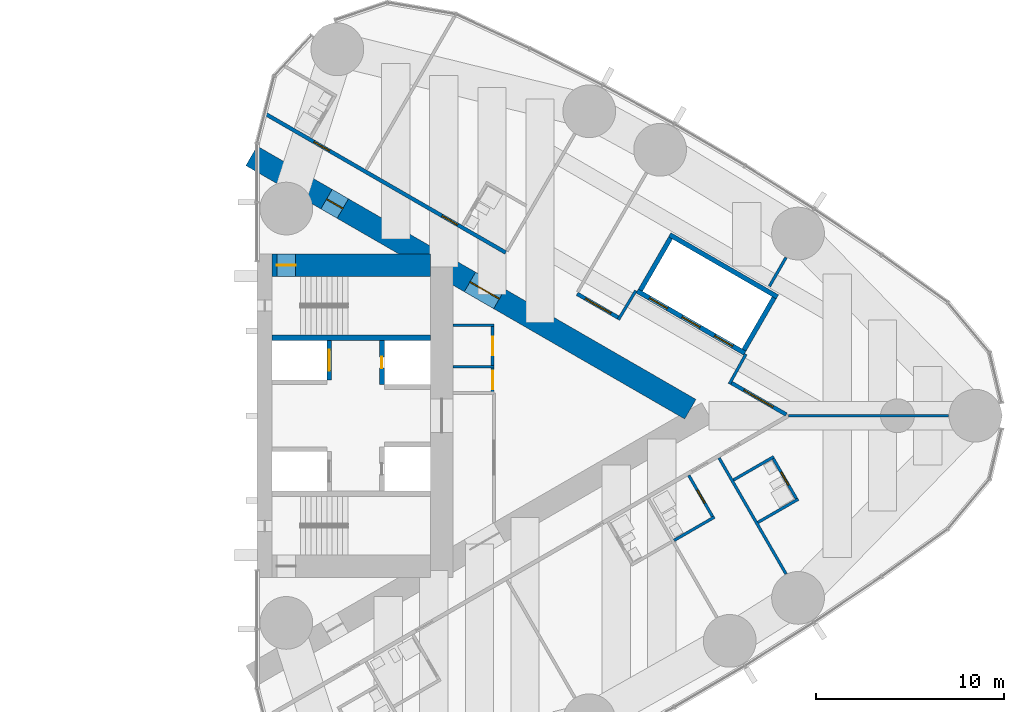
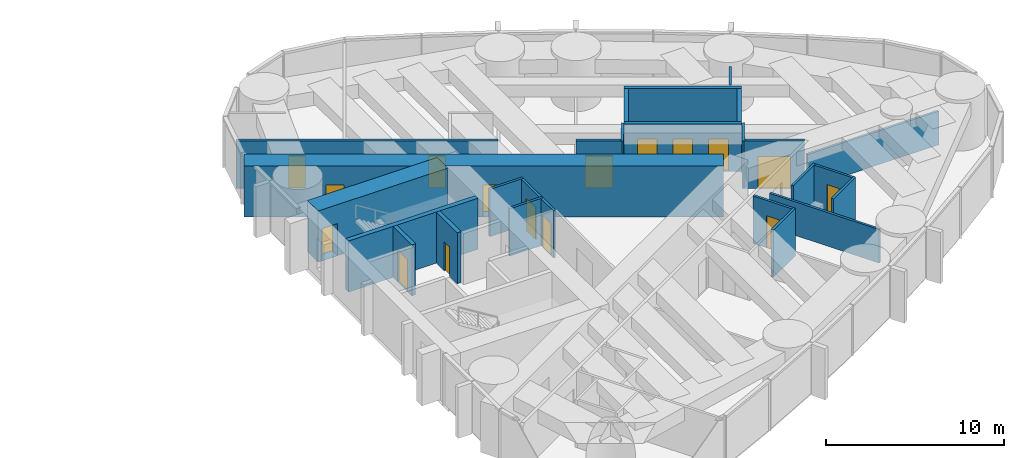
# One storey, part 15 of 19: 26 walls, 16 doors, 16 openings.
"""IFC4 building model written with IfcOpenShell, lengths in metres."""

from ifc_helpers import new_model, si_unit, direction, frame, frame_2d, origin, place, context, subcontext, project, spatial, rectangle, extrude, material, layer, layer_set, type_object, element, fill, save


model = new_model("IFC4")

# Units and contexts
model_context = context("Model", 3, precision=1e-05, world=origin(), true_north=direction((0.0, 1.0)))
body_context = subcontext(model_context, "Body", "Model", "MODEL_VIEW")
ifc_project = project(units=[si_unit("LENGTHUNIT", "METRE"), si_unit("AREAUNIT", "SQUARE_METRE"), si_unit("VOLUMEUNIT", "CUBIC_METRE"), si_unit("PLANEANGLEUNIT", "RADIAN"), si_unit("MASSUNIT", "GRAM", prefix="KILO")], contexts=[model_context])

# Site, building, storey
site_placement = place(None, origin())
site = spatial("IfcSite", under=ifc_project, at=site_placement, CompositionType="ELEMENT")
building_placement = place(site_placement, origin())
building = spatial("IfcBuilding", under=site, at=building_placement, Name="Lancet Gate Hotel", CompositionType="ELEMENT")
storey_placement = place(building_placement, frame((0.0, 0.0, 173.800048828125)))
storey = spatial("IfcBuildingStorey", under=building, at=storey_placement, Name="L46", CompositionType="ELEMENT", Elevation=173.800048828125)

# Wall
ifc_material_1 = material(Name="Moisture resistant board partition")
ifc_layer_1 = layer(ifc_material_1, 0.14990234375)
ifc_layer_set_1 = layer_set([ifc_layer_1], Name="Bathroom wall 150")
wall_type_1 = type_object("IfcWallType", Name="Bathroom wall 150", PredefinedType="PARTITIONING", material=ifc_layer_set_1)
wall_1_placement = place(storey_placement, frame((49.6396484375, -6.617919921875, 0.0), z_axis=(0.0, 0.0, 1.0), x_axis=(0.866006523861, 0.500032699561, 0.0)))
element("IfcWall", 1, at=wall_1_placement, inside=storey, type_object=wall_type_1, Name="T2 bathroom wall 150 L46", PredefinedType="PARTITIONING", context=body_context, shape_type="SweptSolid", body=[
    extrude(rectangle(XDim=2.474853515625, YDim=0.14990234375, at=frame_2d((1.2373046875, 0.0))), origin(), (0.0, 0.0, 1.0), 3.25),
])

# Wall, opening, door
wall_2_placement = place(storey_placement, frame((50.418212890625, -3.166259765625, 0.0), z_axis=(0.0, 0.0, 1.0), x_axis=(0.499936506574, -0.866062058628, 0.0)))
wall_2 = element("IfcWall", 2, at=wall_2_placement, inside=storey, type_object=wall_type_1, Name="T2 bathroom wall 150 L46", PredefinedType="PARTITIONING", context=body_context, shape_type="SweptSolid", body=[
    extrude(rectangle(XDim=2.599853515625, YDim=0.14990234375, at=frame_2d((1.2998046875, 0.0))), origin(), (0.0, 0.0, 1.0), 3.25),
])
opening_1_placement = place(wall_2_placement, frame((0.89990234375, 0.0, 0.0)))
opening_1 = element("IfcOpeningElement", 3, at=opening_1_placement, cuts=wall_2, Name="Opening 4656-B", PredefinedType="OPENING", context=body_context, shape_type="SweptSolid", body=[
    extrude(rectangle(XDim=0.800048828125, YDim=2.199951171875, at=frame_2d((0.39990234375, 1.10009765625))), frame((0.0, 0.0849609375, 0.0), z_axis=(0.0, -1.0, 0.0), x_axis=(1.0, 0.0, 0.0)), (0.0, 0.0, 1.0), 0.169921875),
])
ifc_material_2 = material(Name="Timber door set", Category="wood")
door_type_1 = type_object("IfcDoorType", Name="Bathroom door 800", OperationType="SINGLE_SWING_RIGHT", PredefinedType="DOOR", material=ifc_material_2)
door_1_placement = place(opening_1_placement, origin())
door_1 = element("IfcDoor", 4, at=door_1_placement, inside=storey, type_object=door_type_1, Name="4656-B", OperationType="SINGLE_SWING_RIGHT", OverallHeight=2.199951171875, OverallWidth=0.800048828125, PredefinedType="DOOR", context=body_context, shape_type="SweptSolid", body=[
    extrude(rectangle(XDim=0.800048828125, YDim=2.199951171875, at=frame_2d((0.39990234375, 1.10009765625))), frame((0.0, 0.02490234375, 0.0), z_axis=(0.0, -1.0, 0.0), x_axis=(1.0, 0.0, 0.0)), (0.0, 0.0, 1.0), 0.050048828125),
])
fill(opening_1, door_1)

# Wall
wall_3_placement = place(storey_placement, frame((54.09033203125, -5.6650390625, 0.0), z_axis=(0.0, 0.0, 1.0), x_axis=(0.866006523861, 0.500032699561, 0.0)))
element("IfcWall", 5, at=wall_3_placement, inside=storey, type_object=wall_type_1, Name="T2 bathroom wall 150 L46", PredefinedType="PARTITIONING", context=body_context, shape_type="SweptSolid", body=[
    extrude(rectangle(XDim=2.474853515625, YDim=0.14990234375, at=frame_2d((1.2373046875, 0.0))), origin(), (0.0, 0.0, 1.0), 3.25),
])

# Wall, opening, door
wall_4_placement = place(storey_placement, frame((54.86865234375, -2.21337890625, 0.0), z_axis=(0.0, 0.0, 1.0), x_axis=(0.500047596559, -0.865997922154, 0.0)))
wall_4 = element("IfcWall", 6, at=wall_4_placement, inside=storey, type_object=wall_type_1, Name="T2 bathroom wall 150 L46", PredefinedType="PARTITIONING", context=body_context, shape_type="SweptSolid", body=[
    extrude(rectangle(XDim=2.599853515625, YDim=0.14990234375, at=frame_2d((1.2998046875, 0.0))), origin(), (0.0, 0.0, 1.0), 3.25),
])
opening_2_placement = place(wall_4_placement, frame((0.89990234375, 0.0, 0.0)))
opening_2 = element("IfcOpeningElement", 7, at=opening_2_placement, cuts=wall_4, Name="Opening 4657-B", PredefinedType="OPENING", context=body_context, shape_type="SweptSolid", body=[
    extrude(rectangle(XDim=0.800048828125, YDim=2.199951171875, at=frame_2d((0.39990234375, 1.10009765625))), frame((0.0, 0.0849609375, 0.0), z_axis=(0.0, -1.0, 0.0), x_axis=(1.0, 0.0, 0.0)), (0.0, 0.0, 1.0), 0.169921875),
])
door_2_placement = place(opening_2_placement, origin())
door_2 = element("IfcDoor", 8, at=door_2_placement, inside=storey, type_object=door_type_1, Name="4657-B", OperationType="SINGLE_SWING_RIGHT", OverallHeight=2.199951171875, OverallWidth=0.800048828125, PredefinedType="DOOR", context=body_context, shape_type="SweptSolid", body=[
    extrude(rectangle(XDim=0.800048828125, YDim=2.199951171875, at=frame_2d((0.39990234375, 1.10009765625))), frame((0.0, 0.02490234375, 0.0), z_axis=(0.0, -1.0, 0.0), x_axis=(1.0, 0.0, 0.0)), (0.0, 0.0, 1.0), 0.050048828125),
])
fill(opening_2, door_2)

# Wall
wall_5_placement = place(storey_placement, frame((52.790283203125, -3.413330078125, 0.0), z_axis=(0.0, 0.0, 1.0), x_axis=(0.866006523861, 0.500032699561, 0.0)))
element("IfcWall", 9, at=wall_5_placement, inside=storey, type_object=wall_type_1, Name="T2 bathroom wall 150 L46", PredefinedType="PARTITIONING", context=body_context, shape_type="SweptSolid", body=[
    extrude(rectangle(XDim=2.474853515625, YDim=0.14990234375, at=frame_2d((1.2373046875, 0.0))), origin(), (0.0, 0.0, 1.0), 3.25),
])

# Wall, openings, doors
ifc_material_3 = material(Name="Concrete C70/85", Category="concrete")
ifc_layer_2 = layer(ifc_material_3, 1.199951171875)
ifc_layer_set_2 = layer_set([ifc_layer_2], Name="Buttress wall 1200")
wall_type_2 = type_object("IfcWallType", Name="Buttress wall 1200", PredefinedType="SHEAR", material=ifc_layer_set_2)
wall_6_placement = place(storey_placement, frame((27.199951171875, 13.800048828125, 0.0), z_axis=(0.0, 0.0, 1.0), x_axis=(0.866024515034, -0.500001539357, 0.0)))
wall_6 = element("IfcWall", 10, at=wall_6_placement, inside=storey, type_object=wall_type_2, Name="T2 buttress wall N L46", PredefinedType="SHEAR", context=body_context, shape_type="SweptSolid", body=[
    extrude(rectangle(XDim=26.9072265625, YDim=1.199951171875, at=frame_2d((13.45361328125, 0.0))), origin(), (0.0, 0.0, 1.0), 3.5),
])
opening_3_placement = place(wall_6_placement, frame((4.60009765625, 0.0, 0.0)))
opening_3 = element("IfcOpeningElement", 11, at=opening_3_placement, cuts=wall_6, Name="Opening T2-L46-LN", PredefinedType="OPENING", context=body_context, shape_type="SweptSolid", body=[
    extrude(rectangle(XDim=1.0, YDim=2.199951171875, at=frame_2d((0.5, 1.10009765625))), frame((0.0, 0.60986328125, 0.0), z_axis=(0.0, -1.0, 0.0), x_axis=(1.0, 0.0, 0.0)), (0.0, 0.0, 1.0), 1.219970703125),
])
opening_4_placement = place(wall_6_placement, frame((13.39453125, 0.0, 0.0)))
opening_4 = element("IfcOpeningElement", 12, at=opening_4_placement, cuts=wall_6, Name="Opening T2-L46-LHN", PredefinedType="OPENING", context=body_context, shape_type="SweptSolid", body=[
    extrude(rectangle(XDim=1.800048828125, YDim=2.199951171875, at=frame_2d((0.89990234375, 1.10009765625))), frame((0.0, 0.60986328125, 0.0), z_axis=(0.0, -1.0, 0.0), x_axis=(1.0, 0.0, 0.0)), (0.0, 0.0, 1.0), 1.219970703125),
])
ifc_material_4 = material(Name="Timber door set", Category="wood")
door_type_2 = type_object("IfcDoorType", Name="Lobby double door 1800", OperationType="DOUBLE_DOOR_SINGLE_SWING", PredefinedType="DOOR", material=ifc_material_4)
door_3_placement = place(opening_4_placement, origin())
door_3 = element("IfcDoor", 13, at=door_3_placement, inside=storey, type_object=door_type_2, Name="T2-L46-LHN", OperationType="DOUBLE_DOOR_SINGLE_SWING", OverallHeight=2.199951171875, OverallWidth=1.800048828125, PredefinedType="DOOR", context=body_context, shape_type="SweptSolid", body=[
    extrude(rectangle(XDim=1.800048828125, YDim=2.199951171875, at=frame_2d((0.89990234375, 1.10009765625))), frame((0.0, 0.02490234375, 0.0), z_axis=(0.0, -1.0, 0.0), x_axis=(1.0, 0.0, 0.0)), (0.0, 0.0, 1.0), 0.050048828125),
])
fill(opening_4, door_3)
ifc_material_5 = material(Name="Timber door set", Category="wood")
door_type_3 = type_object("IfcDoorType", Name="Stair lobby door 1000", OperationType="SINGLE_SWING_LEFT", PredefinedType="DOOR", material=ifc_material_5)
door_4_placement = place(opening_3_placement, origin())
door_4 = element("IfcDoor", 14, at=door_4_placement, inside=storey, type_object=door_type_3, Name="T2-L46-LN", OperationType="SINGLE_SWING_LEFT", OverallHeight=2.199951171875, OverallWidth=1.0, PredefinedType="DOOR", context=body_context, shape_type="SweptSolid", body=[
    extrude(rectangle(XDim=1.0, YDim=2.199951171875, at=frame_2d((0.5, 1.10009765625))), frame((0.0, 0.02490234375, 0.0), z_axis=(0.0, -1.0, 0.0), x_axis=(1.0, 0.0, 0.0)), (0.0, 0.0, 1.0), 0.050048828125),
])
fill(opening_3, door_4)

# Wall, opening, door
ifc_material_6 = material(Name="Concrete C70/85", Category="concrete")
ifc_layer_3 = layer(ifc_material_6, 1.199951171875)
ifc_layer_set_3 = layer_set([ifc_layer_3], Name="Core wall 1200")
wall_type_3 = type_object("IfcWallType", Name="Core wall 1200", PredefinedType="SHEAR", material=ifc_layer_set_3)
wall_7_placement = place(storey_placement, frame((28.300048828125, 8.0, 0.0), z_axis=(0.0, 0.0, 1.0), x_axis=(1.0, 0.0, 0.0)))
wall_7 = element("IfcWall", 15, at=wall_7_placement, inside=storey, type_object=wall_type_3, Name="T2 core wall side-N L46", PredefinedType="SHEAR", context=body_context, shape_type="SweptSolid", body=[
    extrude(rectangle(XDim=8.39990234375, YDim=1.199951171875, at=frame_2d((4.199951171875, 0.0))), origin(), (0.0, 0.0, 1.0), 3.5),
])
opening_5_placement = place(wall_7_placement, frame((0.25, 0.0, 0.0)))
opening_5 = element("IfcOpeningElement", 16, at=opening_5_placement, cuts=wall_7, Name="Opening T2-L46-ST2", PredefinedType="OPENING", context=body_context, shape_type="SweptSolid", body=[
    extrude(rectangle(XDim=1.0, YDim=2.199951171875, at=frame_2d((0.5, 1.10009765625))), frame((0.0, 0.60986328125, 0.0), z_axis=(0.0, -1.0, 0.0), x_axis=(1.0, 0.0, 0.0)), (0.0, 0.0, 1.0), 1.219970703125),
])
ifc_material_7 = material(Name="Timber door set", Category="wood")
door_type_4 = type_object("IfcDoorType", Name="Stair door 1000", OperationType="SINGLE_SWING_RIGHT", PredefinedType="DOOR", material=ifc_material_7)
door_5_placement = place(opening_5_placement, origin())
door_5 = element("IfcDoor", 17, at=door_5_placement, inside=storey, type_object=door_type_4, Name="T2-L46-ST2", OperationType="SINGLE_SWING_RIGHT", OverallHeight=2.199951171875, OverallWidth=1.0, PredefinedType="DOOR", context=body_context, shape_type="SweptSolid", body=[
    extrude(rectangle(XDim=1.0, YDim=2.199951171875, at=frame_2d((0.5, 1.10009765625))), frame((0.0, 0.02490234375, 0.0), z_axis=(0.0, -1.0, 0.0), x_axis=(1.0, 0.0, 0.0)), (0.0, 0.0, 1.0), 0.050048828125),
])
fill(opening_5, door_5)

ifc_material_8 = material(Name="Gypsum board partition")
ifc_layer_4 = layer(ifc_material_8, 0.199951171875)
ifc_layer_set_4 = layer_set([ifc_layer_4], Name="Corridor wall 200")
wall_type_4 = type_object("IfcWallType", Name="Corridor wall 200", PredefinedType="PARTITIONING", material=ifc_layer_set_4)
wall_8_placement = place(storey_placement, frame((52.63916015625, 1.7685546875, 0.0), z_axis=(0.0, 0.0, 1.0), x_axis=(0.866027340901, -0.4999966448, 0.0)))
wall_8 = element("IfcWall", 18, at=wall_8_placement, inside=storey, type_object=wall_type_4, Name="T2 corridor wall 200 L46", PredefinedType="PARTITIONING", context=body_context, shape_type="SweptSolid", body=[
    extrude(rectangle(XDim=3.4169921875, YDim=0.199951171875, at=frame_2d((1.70849609375, 0.0))), origin(), (0.0, 0.0, 1.0), 3.25),
])
opening_6_placement = place(wall_8_placement, frame((0.80859375, 0.0, 0.0)))
opening_6 = element("IfcOpeningElement", 19, at=opening_6_placement, cuts=wall_8, Name="Opening T2-L46-LO1", PredefinedType="OPENING", context=body_context, shape_type="SweptSolid", body=[
    extrude(rectangle(XDim=1.800048828125, YDim=2.199951171875, at=frame_2d((0.89990234375, 1.10009765625))), frame((0.0, 0.10986328125, 0.0), z_axis=(0.0, -1.0, 0.0), x_axis=(1.0, 0.0, 0.0)), (0.0, 0.0, 1.0), 0.219970703125),
])
ifc_material_9 = material(Name="Timber door set", Category="wood")
door_type_5 = type_object("IfcDoorType", Name="Double door 1800", OperationType="DOUBLE_DOOR_SINGLE_SWING", PredefinedType="DOOR", material=ifc_material_9)
door_6_placement = place(opening_6_placement, origin())
door_6 = element("IfcDoor", 20, at=door_6_placement, inside=storey, type_object=door_type_5, Name="T2-L46-LO1", OperationType="DOUBLE_DOOR_SINGLE_SWING", OverallHeight=2.199951171875, OverallWidth=1.800048828125, PredefinedType="DOOR", context=body_context, shape_type="SweptSolid", body=[
    extrude(rectangle(XDim=1.800048828125, YDim=2.199951171875, at=frame_2d((0.89990234375, 1.10009765625))), frame((0.0, 0.02490234375, 0.0), z_axis=(0.0, -1.0, 0.0), x_axis=(1.0, 0.0, 0.0)), (0.0, 0.0, 1.0), 0.050048828125),
])
fill(opening_6, door_6)

# Wall, openings, doors
wall_9_placement = place(storey_placement, frame((27.95947265625, 16.017333984375, 0.0), z_axis=(0.0, 0.0, 1.0), x_axis=(0.866024165033, -0.500002145574, 0.0)))
wall_9 = element("IfcWall", 21, at=wall_9_placement, inside=storey, type_object=wall_type_4, Name="T2 corridor wall 200 L46", PredefinedType="PARTITIONING", context=body_context, shape_type="SweptSolid", body=[
    extrude(rectangle(XDim=14.708984375, YDim=0.199951171875, at=frame_2d((7.3544921875, 0.0))), origin(), (0.0, 0.0, 1.0), 3.25),
])
opening_7_placement = place(wall_9_placement, frame((10.808837890625, 0.0, 0.0)))
opening_7 = element("IfcOpeningElement", 22, at=opening_7_placement, cuts=wall_9, Name="Opening 4662-E", PredefinedType="OPENING", context=body_context, shape_type="SweptSolid", body=[
    extrude(rectangle(XDim=0.949951171875, YDim=2.199951171875, at=frame_2d((0.47509765625, 1.10009765625))), frame((0.0, 0.10986328125, 0.0), z_axis=(0.0, -1.0, 0.0), x_axis=(1.0, 0.0, 0.0)), (0.0, 0.0, 1.0), 0.219970703125),
])
opening_8_placement = place(wall_9_placement, frame((2.949951171875, 0.0, 0.0)))
opening_8 = element("IfcOpeningElement", 23, at=opening_8_placement, cuts=wall_9, Name="Opening 4664-E", PredefinedType="OPENING", context=body_context, shape_type="SweptSolid", body=[
    extrude(rectangle(XDim=0.949951171875, YDim=2.199951171875, at=frame_2d((0.47509765625, 1.10009765625))), frame((0.0, 0.10986328125, 0.0), z_axis=(0.0, -1.0, 0.0), x_axis=(1.0, 0.0, 0.0)), (0.0, 0.0, 1.0), 0.219970703125),
])
ifc_material_10 = material(Name="Timber door set", Category="wood")
door_type_6 = type_object("IfcDoorType", Name="Guest room entry door 950", OperationType="SINGLE_SWING_LEFT", PredefinedType="DOOR", material=ifc_material_10)
door_7_placement = place(opening_7_placement, origin())
door_7 = element("IfcDoor", 24, at=door_7_placement, inside=storey, type_object=door_type_6, Name="4662-E", OperationType="SINGLE_SWING_LEFT", OverallHeight=2.199951171875, OverallWidth=0.949951171875, PredefinedType="DOOR", context=body_context, shape_type="SweptSolid", body=[
    extrude(rectangle(XDim=0.949951171875, YDim=2.199951171875, at=frame_2d((0.47509765625, 1.10009765625))), frame((0.0, 0.02490234375, 0.0), z_axis=(0.0, -1.0, 0.0), x_axis=(1.0, 0.0, 0.0)), (0.0, 0.0, 1.0), 0.050048828125),
])
fill(opening_7, door_7)
door_8_placement = place(opening_8_placement, origin())
door_8 = element("IfcDoor", 25, at=door_8_placement, inside=storey, type_object=door_type_6, Name="4664-E", OperationType="SINGLE_SWING_LEFT", OverallHeight=2.199951171875, OverallWidth=0.949951171875, PredefinedType="DOOR", context=body_context, shape_type="SweptSolid", body=[
    extrude(rectangle(XDim=0.949951171875, YDim=2.199951171875, at=frame_2d((0.47509765625, 1.10009765625))), frame((0.0, 0.02490234375, 0.0), z_axis=(0.0, -1.0, 0.0), x_axis=(1.0, 0.0, 0.0)), (0.0, 0.0, 1.0), 0.050048828125),
])
fill(opening_8, door_8)

# Wall, opening, door
wall_10_placement = place(storey_placement, frame((44.4931640625, 6.4716796875, 0.0), z_axis=(0.0, 0.0, 1.0), x_axis=(0.866027140358, -0.499996992154, 0.0)))
wall_10 = element("IfcWall", 26, at=wall_10_placement, inside=storey, type_object=wall_type_4, Name="T2 corridor wall 200 L46", PredefinedType="PARTITIONING", context=body_context, shape_type="SweptSolid", body=[
    extrude(rectangle(XDim=2.56591796875, YDim=0.199951171875, at=frame_2d((1.282958984375, 0.0))), origin(), (0.0, 0.0, 1.0), 3.25),
])
opening_9_placement = place(wall_10_placement, frame((0.5, 0.0, 0.0)))
opening_9 = element("IfcOpeningElement", 27, at=opening_9_placement, cuts=wall_10, Name="Opening T2-L46-LO2", PredefinedType="OPENING", context=body_context, shape_type="SweptSolid", body=[
    extrude(rectangle(XDim=1.56591796875, YDim=2.199951171875, at=frame_2d((0.782958984375, 1.10009765625))), frame((0.0, 0.10986328125, 0.0), z_axis=(0.0, -1.0, 0.0), x_axis=(1.0, 0.0, 0.0)), (0.0, 0.0, 1.0), 0.219970703125),
])
door_9_placement = place(opening_9_placement, origin())
door_9 = element("IfcDoor", 28, at=door_9_placement, inside=storey, type_object=door_type_6, Name="T2-L46-LO2", OperationType="SINGLE_SWING_LEFT", OverallHeight=2.199951171875, OverallWidth=1.56591796875, PredefinedType="DOOR", context=body_context, shape_type="SweptSolid", body=[
    extrude(rectangle(XDim=1.56591796875, YDim=2.199951171875, at=frame_2d((0.782958984375, 1.10009765625))), frame((0.0, 0.02490234375, 0.0), z_axis=(0.0, -1.0, 0.0), x_axis=(1.0, 0.0, 0.0)), (0.0, 0.0, 1.0), 0.050048828125),
])
fill(opening_9, door_9)

# Wall, openings, doors
ifc_material_11 = material(Name="Gypsum board partition")
ifc_layer_5 = layer(ifc_material_11, 0.25)
ifc_layer_set_5 = layer_set([ifc_layer_5], Name="Lift shaft partition 250")
wall_type_5 = type_object("IfcWallType", Name="Lift shaft partition 250", PredefinedType="PARTITIONING", material=ifc_layer_set_5)
wall_11_placement = place(storey_placement, frame((47.681396484375, 6.622314453125, 0.0), z_axis=(0.0, 0.0, 1.0), x_axis=(0.86603344179, -0.499986077507, 0.0)))
wall_11 = element("IfcWall", 29, at=wall_11_placement, inside=storey, type_object=wall_type_5, Name="T2 lift shaft wall HL L46", PredefinedType="PARTITIONING", context=body_context, shape_type="SweptSolid", body=[
    extrude(rectangle(XDim=6.600341796875, YDim=0.25, at=frame_2d((3.30029296875, 0.0))), origin(), (0.0, 0.0, 1.0), 3.25),
])
opening_10_placement = place(wall_11_placement, frame((0.75, 0.0, 0.0)))
opening_10 = element("IfcOpeningElement", 30, at=opening_10_placement, cuts=wall_11, Name="Opening T2-HL1-L46", PredefinedType="OPENING", context=body_context, shape_type="SweptSolid", body=[
    extrude(rectangle(XDim=1.10009765625, YDim=2.199951171875, at=frame_2d((0.550048828125, 1.10009765625))), frame((0.0, 0.135009765625, 0.0), z_axis=(0.0, -1.0, 0.0), x_axis=(1.0, 0.0, 0.0)), (0.0, 0.0, 1.0), 0.27001953125),
])
opening_11_placement = place(wall_11_placement, frame((2.75, 0.0, 0.0)))
opening_11 = element("IfcOpeningElement", 31, at=opening_11_placement, cuts=wall_11, Name="Opening T2-HL2-L46", PredefinedType="OPENING", context=body_context, shape_type="SweptSolid", body=[
    extrude(rectangle(XDim=1.10009765625, YDim=2.199951171875, at=frame_2d((0.550048828125, 1.10009765625))), frame((0.0, 0.135009765625, 0.0), z_axis=(0.0, -1.0, 0.0), x_axis=(1.0, 0.0, 0.0)), (0.0, 0.0, 1.0), 0.27001953125),
])
opening_12_placement = place(wall_11_placement, frame((4.75, 0.0, 0.0)))
opening_12 = element("IfcOpeningElement", 32, at=opening_12_placement, cuts=wall_11, Name="Opening T2-HL3-L46", PredefinedType="OPENING", context=body_context, shape_type="SweptSolid", body=[
    extrude(rectangle(XDim=1.10009765625, YDim=2.199951171875, at=frame_2d((0.550048828125, 1.10009765625))), frame((0.0, 0.135009765625, 0.0), z_axis=(0.0, -1.0, 0.0), x_axis=(1.0, 0.0, 0.0)), (0.0, 0.0, 1.0), 0.27001953125),
])
ifc_material_12 = material(Name="Steel door set", Category="steel")
door_type_7 = type_object("IfcDoorType", Name="Lift landing door 1100", OperationType="DOUBLE_DOOR_SLIDING", PredefinedType="USERDEFINED", material=ifc_material_12)
door_10_placement = place(opening_10_placement, origin())
door_10 = element("IfcDoor", 33, at=door_10_placement, inside=storey, type_object=door_type_7, Name="T2-HL1-L46", ObjectType="LIFT LANDING DOOR", OperationType="DOUBLE_DOOR_SLIDING", OverallHeight=2.199951171875, OverallWidth=1.10009765625, PredefinedType="USERDEFINED", context=body_context, shape_type="SweptSolid", body=[
    extrude(rectangle(XDim=1.10009765625, YDim=2.199951171875, at=frame_2d((0.550048828125, 1.10009765625))), frame((0.0, 0.02490234375, 0.0), z_axis=(0.0, -1.0, 0.0), x_axis=(1.0, 0.0, 0.0)), (0.0, 0.0, 1.0), 0.050048828125),
])
fill(opening_10, door_10)
door_11_placement = place(opening_11_placement, origin())
door_11 = element("IfcDoor", 34, at=door_11_placement, inside=storey, type_object=door_type_7, Name="T2-HL2-L46", ObjectType="LIFT LANDING DOOR", OperationType="DOUBLE_DOOR_SLIDING", OverallHeight=2.199951171875, OverallWidth=1.10009765625, PredefinedType="USERDEFINED", context=body_context, shape_type="SweptSolid", body=[
    extrude(rectangle(XDim=1.10009765625, YDim=2.199951171875, at=frame_2d((0.550048828125, 1.10009765625))), frame((0.0, 0.02490234375, 0.0), z_axis=(0.0, -1.0, 0.0), x_axis=(1.0, 0.0, 0.0)), (0.0, 0.0, 1.0), 0.050048828125),
])
fill(opening_11, door_11)
door_12_placement = place(opening_12_placement, origin())
door_12 = element("IfcDoor", 35, at=door_12_placement, inside=storey, type_object=door_type_7, Name="T2-HL3-L46", ObjectType="LIFT LANDING DOOR", OperationType="DOUBLE_DOOR_SLIDING", OverallHeight=2.199951171875, OverallWidth=1.10009765625, PredefinedType="USERDEFINED", context=body_context, shape_type="SweptSolid", body=[
    extrude(rectangle(XDim=1.10009765625, YDim=2.199951171875, at=frame_2d((0.550048828125, 1.10009765625))), frame((0.0, 0.02490234375, 0.0), z_axis=(0.0, -1.0, 0.0), x_axis=(1.0, 0.0, 0.0)), (0.0, 0.0, 1.0), 0.050048828125),
])
fill(opening_12, door_12)

# Walls
wall_12_placement = place(storey_placement, frame((49.406494140625, 9.61083984375, 0.0), z_axis=(0.0, 0.0, 1.0), x_axis=(0.86603344179, -0.499986077507, 0.0)))
element("IfcWall", 36, at=wall_12_placement, inside=storey, type_object=wall_type_5, Name="T2 lift shaft wall HL L46", PredefinedType="PARTITIONING", context=body_context, shape_type="SweptSolid", body=[
    extrude(rectangle(XDim=6.600341796875, YDim=0.25, at=frame_2d((3.30029296875, 0.0))), origin(), (0.0, 0.0, 1.0), 3.25),
])
wall_13_placement = place(storey_placement, frame((47.852294921875, 6.66796875, 0.0), z_axis=(0.0, 0.0, 1.0), x_axis=(0.499929347863, 0.866066190972, 0.0)))
element("IfcWall", 37, at=wall_13_placement, inside=storey, type_object=wall_type_5, Name="T2 lift shaft wall HL L46", PredefinedType="PARTITIONING", context=body_context, shape_type="SweptSolid", body=[
    extrude(rectangle(XDim=3.20068359375, YDim=0.25, at=frame_2d((1.600341796875, 0.0))), origin(), (0.0, 0.0, 1.0), 3.25),
])
wall_14_placement = place(storey_placement, frame((53.351806640625, 3.492919921875, 0.0), z_axis=(0.0, 0.0, 1.0), x_axis=(0.499872130319, 0.866099216793, 0.0)))
element("IfcWall", 38, at=wall_14_placement, inside=storey, type_object=wall_type_5, Name="T2 lift shaft wall HL L46", PredefinedType="PARTITIONING", context=body_context, shape_type="SweptSolid", body=[
    extrude(rectangle(XDim=3.200439453125, YDim=0.25, at=frame_2d((1.60009765625, 0.0))), origin(), (0.0, 0.0, 1.0), 3.25),
])

# Wall, opening, door
ifc_material_13 = material(Name="Concrete C50/60", Category="concrete")
ifc_layer_6 = layer(ifc_material_13, 0.25)
ifc_layer_set_6 = layer_set([ifc_layer_6], Name="Lift shaft wall 250")
wall_type_6 = type_object("IfcWallType", Name="Lift shaft wall 250", PredefinedType="SHEAR", material=ifc_layer_set_6)
wall_15_placement = place(storey_placement, frame((31.324951171875, 1.89990234375, 0.0), z_axis=(0.0, 0.0, 1.0), x_axis=(0.0, 1.0, 0.0)))
wall_15 = element("IfcWall", 39, at=wall_15_placement, inside=storey, type_object=wall_type_6, Name="T2 core wall row1-N L46", PredefinedType="SHEAR", context=body_context, shape_type="SweptSolid", body=[
    extrude(rectangle(XDim=2.10009765625, YDim=0.25, at=frame_2d((1.050048828125, 0.0))), origin(), (0.0, 0.0, 1.0), 3.5),
])
opening_13_placement = place(wall_15_placement, frame((0.5, 0.0, 0.0)))
opening_13 = element("IfcOpeningElement", 40, at=opening_13_placement, cuts=wall_15, Name="Opening T2-FL2-L46", PredefinedType="OPENING", context=body_context, shape_type="SweptSolid", body=[
    extrude(rectangle(XDim=1.10009765625, YDim=2.199951171875, at=frame_2d((0.550048828125, 1.10009765625))), frame((0.0, 0.135009765625, 0.0), z_axis=(0.0, -1.0, 0.0), x_axis=(1.0, 0.0, 0.0)), (0.0, 0.0, 1.0), 0.27001953125),
])
ifc_material_14 = material(Name="Steel door set", Category="steel")
door_type_8 = type_object("IfcDoorType", Name="Firefighting lift landing door 1100", OperationType="SLIDING_TO_LEFT", PredefinedType="USERDEFINED", material=ifc_material_14)
door_13_placement = place(opening_13_placement, origin())
door_13 = element("IfcDoor", 41, at=door_13_placement, inside=storey, type_object=door_type_8, Name="T2-FL2-L46", ObjectType="LIFT LANDING DOOR", OperationType="SLIDING_TO_LEFT", OverallHeight=2.199951171875, OverallWidth=1.10009765625, PredefinedType="USERDEFINED", context=body_context, shape_type="SweptSolid", body=[
    extrude(rectangle(XDim=1.10009765625, YDim=2.199951171875, at=frame_2d((0.550048828125, 1.10009765625))), frame((0.0, 0.02490234375, 0.0), z_axis=(0.0, -1.0, 0.0), x_axis=(1.0, 0.0, 0.0)), (0.0, 0.0, 1.0), 0.050048828125),
])
fill(opening_13, door_13)

wall_16_placement = place(storey_placement, frame((34.125, 1.64990234375, 0.0), z_axis=(0.0, 0.0, 1.0), x_axis=(0.0, 1.0, 0.0)))
wall_16 = element("IfcWall", 42, at=wall_16_placement, inside=storey, type_object=wall_type_6, Name="T2 core wall row2-N L46", PredefinedType="SHEAR", context=body_context, shape_type="SweptSolid", body=[
    extrude(rectangle(XDim=2.35009765625, YDim=0.25, at=frame_2d((1.175048828125, 0.0))), origin(), (0.0, 0.0, 1.0), 3.5),
])
opening_14_placement = place(wall_16_placement, frame((0.875, 0.0, 0.0)))
opening_14 = element("IfcOpeningElement", 43, at=opening_14_placement, cuts=wall_16, Name="Opening T2-OL4-L46-E", PredefinedType="OPENING", context=body_context, shape_type="SweptSolid", body=[
    extrude(rectangle(XDim=0.60009765625, YDim=2.0, at=frame_2d((0.300048828125, 1.0))), frame((0.0, 0.135009765625, 0.0), z_axis=(0.0, -1.0, 0.0), x_axis=(1.0, 0.0, 0.0)), (0.0, 0.0, 1.0), 0.27001953125),
])
ifc_material_15 = material(Name="Steel door set", Category="steel")
door_type_9 = type_object("IfcDoorType", Name="Lift shaft emergency door 600x2000", OperationType="SLIDING_TO_LEFT", PredefinedType="DOOR", material=ifc_material_15)
door_14_placement = place(opening_14_placement, origin())
door_14 = element("IfcDoor", 44, at=door_14_placement, inside=storey, type_object=door_type_9, Name="T2-OL4-L46-E", OperationType="SLIDING_TO_LEFT", OverallHeight=2.0, OverallWidth=0.60009765625, PredefinedType="DOOR", context=body_context, shape_type="SweptSolid", body=[
    extrude(rectangle(XDim=0.60009765625, YDim=2.0, at=frame_2d((0.300048828125, 1.0))), frame((0.0, 0.02490234375, 0.0), z_axis=(0.0, -1.0, 0.0), x_axis=(1.0, 0.0, 0.0)), (0.0, 0.0, 1.0), 0.050048828125),
])
fill(opening_14, door_14)

# Walls
ifc_material_16 = material(Name="Gypsum board partition")
ifc_layer_7 = layer(ifc_material_16, 0.14990234375)
ifc_layer_set_7 = layer_set([ifc_layer_7], Name="Party wall 150")
wall_type_7 = type_object("IfcWallType", Name="Party wall 150", PredefinedType="PARTITIONING", material=ifc_layer_set_7)
wall_17_placement = place(storey_placement, frame((52.025390625, -2.23828125, 0.0), z_axis=(0.0, 0.0, 1.0), x_axis=(0.499983785035, -0.866034765296, 0.0)))
element("IfcWall", 45, at=wall_17_placement, inside=storey, type_object=wall_type_7, Name="T2 party wall 150 L46", PredefinedType="PARTITIONING", context=body_context, shape_type="SweptSolid", body=[
    extrude(rectangle(XDim=7.116455078125, YDim=0.14990234375, at=frame_2d((3.55810546875, 0.0))), origin(), (0.0, 0.0, 1.0), 2.300048828125),
])
wall_18_placement = place(storey_placement, frame((55.7021484375, 0.0, 0.0), z_axis=(0.0, 0.0, 1.0), x_axis=(1.0, 0.0, 0.0)))
element("IfcWall", 46, at=wall_18_placement, inside=storey, type_object=wall_type_7, Name="T2 party wall 150 L46", PredefinedType="PARTITIONING", context=body_context, shape_type="SweptSolid", body=[
    extrude(rectangle(XDim=8.517578125, YDim=0.14990234375, at=frame_2d((4.2587890625, 0.0))), origin(), (0.0, 0.0, 1.0), 2.300048828125),
])
wall_19_placement = place(storey_placement, frame((54.700439453125, 6.871826171875, 0.0), z_axis=(0.0, 0.0, 1.0), x_axis=(0.499989690894, 0.866031355668, 0.0)))
element("IfcWall", 47, at=wall_19_placement, inside=storey, type_object=wall_type_7, Name="T2 party wall 150 L46", PredefinedType="PARTITIONING", context=body_context, shape_type="SweptSolid", body=[
    extrude(rectangle(XDim=1.76611328125, YDim=0.14990234375, at=frame_2d((0.883056640625, 0.0))), origin(), (0.0, 0.0, 1.0), 3.25),
])
ifc_material_17 = material(Name="Gypsum board partition")
ifc_layer_8 = layer(ifc_material_17, 0.14990234375)
ifc_layer_set_8 = layer_set([ifc_layer_8], Name="Service room wall 150")
wall_type_8 = type_object("IfcWallType", Name="Service room wall 150", PredefinedType="PARTITIONING", material=ifc_layer_set_8)
wall_20_placement = place(storey_placement, frame((52.576171875, 1.689453125, 0.0), z_axis=(0.0, 0.0, 1.0), x_axis=(0.485424724123, 0.874278466629, 0.0)))
element("IfcWall", 48, at=wall_20_placement, inside=storey, type_object=wall_type_8, Name="T2 service room wall 150 L46", PredefinedType="PARTITIONING", context=body_context, shape_type="SweptSolid", body=[
    extrude(rectangle(XDim=1.80517578125, YDim=0.14990234375, at=frame_2d((0.902587890625, 0.0))), origin(), (0.0, 0.0, 1.0), 3.25),
])
wall_21_placement = place(storey_placement, frame((47.6064453125, 6.642578125, 0.0), z_axis=(0.0, 0.0, 1.0), x_axis=(-0.514237157483, -0.857648031458, 0.0)))
element("IfcWall", 49, at=wall_21_placement, inside=storey, type_object=wall_type_8, Name="T2 service room wall 150 L46", PredefinedType="PARTITIONING", context=body_context, shape_type="SweptSolid", body=[
    extrude(rectangle(XDim=1.804931640625, YDim=0.14990234375, at=frame_2d((0.90234375, 0.0))), origin(), (0.0, 0.0, 1.0), 3.25),
])
for number, where, z_axis, x_axis, name in (
    (50, (37.89990234375, 2.60009765625, 0.0), (0.0, 0.0, 1.0), (1.0, 0.0, 0.0), "T2 service room wall 150 L46"),
    (51, (37.89990234375, 4.800048828125, 0.0), (0.0, 0.0, 1.0), (1.0, 0.0, 0.0), "T2 service room wall 150 L46"),
):
    element("IfcWall", number, at=place(storey_placement, frame(where, z_axis=z_axis, x_axis=x_axis)), inside=storey, type_object=wall_type_8, Name=name, PredefinedType="PARTITIONING", context=body_context, shape_type="SweptSolid", body=[
        extrude(rectangle(XDim=2.175048828125, YDim=0.14990234375, at=frame_2d((1.08740234375, 0.0))), origin(), (0.0, 0.0, 1.0), 3.25),
    ])

# Wall, opening, door
wall_22_placement = place(storey_placement, frame((40.0, 1.125, 0.0), z_axis=(0.0, 0.0, 1.0), x_axis=(0.0, 1.0, 0.0)))
wall_22 = element("IfcWall", 52, at=wall_22_placement, inside=storey, type_object=wall_type_8, Name="T2 service room wall 150 L46", PredefinedType="PARTITIONING", context=body_context, shape_type="SweptSolid", body=[
    extrude(rectangle(XDim=1.550048828125, YDim=0.14990234375, at=frame_2d((0.77490234375, 0.0))), origin(), (0.0, 0.0, 1.0), 3.25),
])
opening_15_placement = place(wall_22_placement, frame((0.27490234375, 0.0, 0.0)))
opening_15 = element("IfcOpeningElement", 53, at=opening_15_placement, cuts=wall_22, Name="Opening T2-L46-HRN0", PredefinedType="OPENING", context=body_context, shape_type="SweptSolid", body=[
    extrude(rectangle(XDim=1.0, YDim=2.199951171875, at=frame_2d((0.5, 1.10009765625))), frame((0.0, 0.0849609375, 0.0), z_axis=(0.0, -1.0, 0.0), x_axis=(1.0, 0.0, 0.0)), (0.0, 0.0, 1.0), 0.169921875),
])
ifc_material_18 = material(Name="Timber door set", Category="wood")
door_type_10 = type_object("IfcDoorType", Name="Service door 1000", OperationType="SINGLE_SWING_LEFT", PredefinedType="DOOR", material=ifc_material_18)
door_15_placement = place(opening_15_placement, origin())
door_15 = element("IfcDoor", 54, at=door_15_placement, inside=storey, type_object=door_type_10, Name="T2-L46-HRN0", OperationType="SINGLE_SWING_LEFT", OverallHeight=2.199951171875, OverallWidth=1.0, PredefinedType="DOOR", context=body_context, shape_type="SweptSolid", body=[
    extrude(rectangle(XDim=1.0, YDim=2.199951171875, at=frame_2d((0.5, 1.10009765625))), frame((0.0, 0.02490234375, 0.0), z_axis=(0.0, -1.0, 0.0), x_axis=(1.0, 0.0, 0.0)), (0.0, 0.0, 1.0), 0.050048828125),
])
fill(opening_15, door_15)

wall_23_placement = place(storey_placement, frame((40.0, 2.52490234375, 0.0), z_axis=(0.0, 0.0, 1.0), x_axis=(0.0, 1.0, 0.0)))
wall_23 = element("IfcWall", 55, at=wall_23_placement, inside=storey, type_object=wall_type_8, Name="T2 service room wall 150 L46", PredefinedType="PARTITIONING", context=body_context, shape_type="SweptSolid", body=[
    extrude(rectangle(XDim=2.35009765625, YDim=0.14990234375, at=frame_2d((1.175048828125, 0.0))), origin(), (0.0, 0.0, 1.0), 3.25),
])
opening_16_placement = place(wall_23_placement, frame((0.675048828125, 0.0, 0.0)))
opening_16 = element("IfcOpeningElement", 56, at=opening_16_placement, cuts=wall_23, Name="Opening T2-L46-HRN1", PredefinedType="OPENING", context=body_context, shape_type="SweptSolid", body=[
    extrude(rectangle(XDim=1.0, YDim=2.199951171875, at=frame_2d((0.5, 1.10009765625))), frame((0.0, 0.0849609375, 0.0), z_axis=(0.0, -1.0, 0.0), x_axis=(1.0, 0.0, 0.0)), (0.0, 0.0, 1.0), 0.169921875),
])
door_16_placement = place(opening_16_placement, origin())
door_16 = element("IfcDoor", 57, at=door_16_placement, inside=storey, type_object=door_type_10, Name="T2-L46-HRN1", OperationType="SINGLE_SWING_LEFT", OverallHeight=2.199951171875, OverallWidth=1.0, PredefinedType="DOOR", context=body_context, shape_type="SweptSolid", body=[
    extrude(rectangle(XDim=1.0, YDim=2.199951171875, at=frame_2d((0.5, 1.10009765625))), frame((0.0, 0.02490234375, 0.0), z_axis=(0.0, -1.0, 0.0), x_axis=(1.0, 0.0, 0.0)), (0.0, 0.0, 1.0), 0.050048828125),
])
fill(opening_16, door_16)

# Wall
ifc_material_19 = material(Name="Concrete C50/60", Category="concrete")
ifc_layer_9 = layer(ifc_material_19, 0.300048828125)
ifc_layer_set_9 = layer_set([ifc_layer_9], Name="Stair enclosure wall 300")
wall_type_9 = type_object("IfcWallType", Name="Stair enclosure wall 300", PredefinedType="SHEAR", material=ifc_layer_set_9)
wall_24_placement = place(storey_placement, frame((28.300048828125, 4.14990234375, 0.0), z_axis=(0.0, 0.0, 1.0), x_axis=(1.0, 0.0, 0.0)))
element("IfcWall", 58, at=wall_24_placement, inside=storey, type_object=wall_type_9, Name="T2 core wall stair-N L46", PredefinedType="SHEAR", context=body_context, shape_type="SweptSolid", body=[
    extrude(rectangle(XDim=8.39990234375, YDim=0.300048828125, at=frame_2d((4.199951171875, 0.0))), origin(), (0.0, 0.0, 1.0), 3.5),
])

save(model, "model.ifc")
